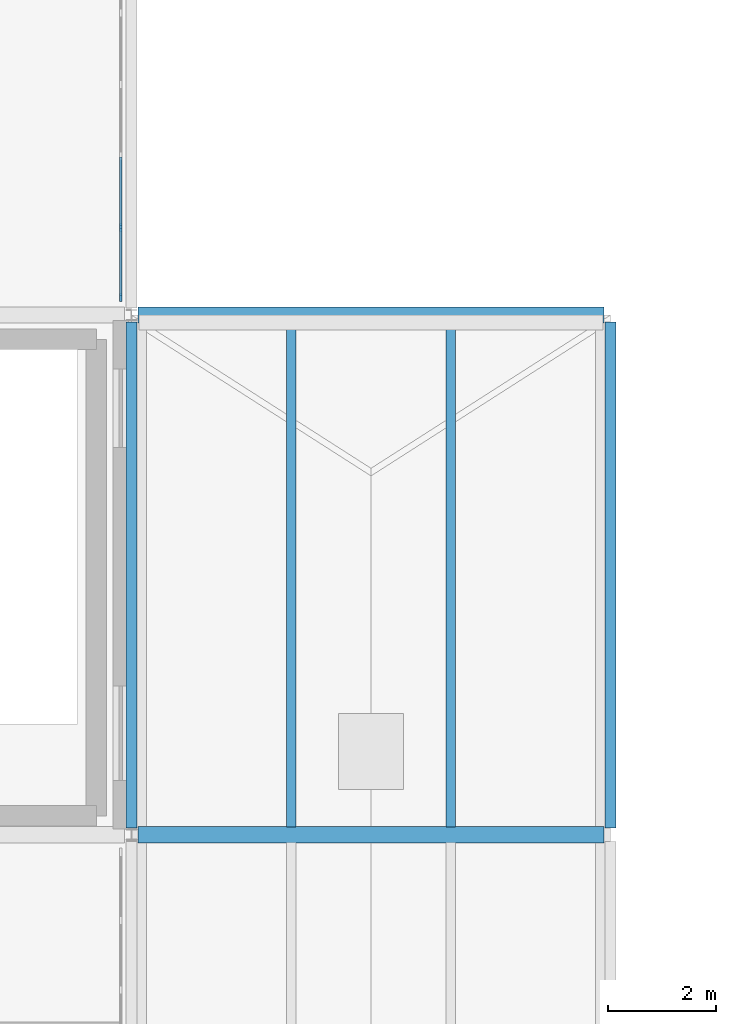
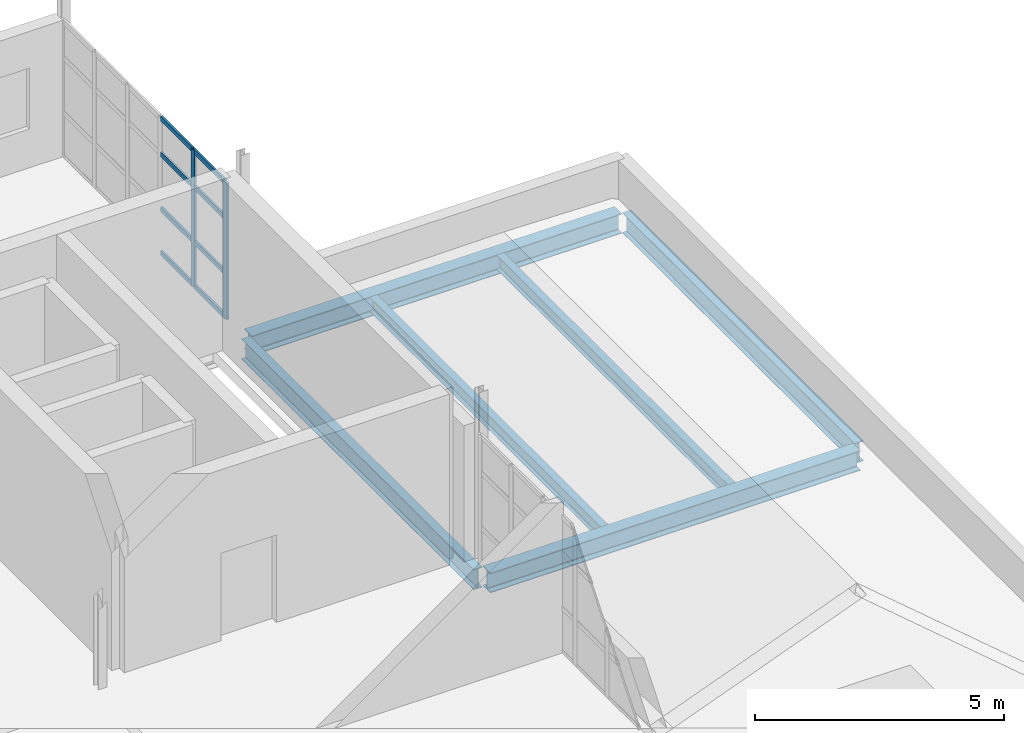
# One storey, part 7 of 16: 10 members, 6 beams, 1 element without a shape of its own.
"""IFC4 building model written with IfcOpenShell, lengths in metres."""

from ifc_helpers import new_model, si_unit, direction, frame, origin, origin_2d, place, context, subcontext, project, spatial, rectangle, i_section, extrude, material, layer, layer_set, material_profile, profile_set, type_object, element, aggregate, save


model = new_model("IFC4")

# Units and contexts
model_context = context("Model", 3, precision=1e-05, world=origin(), true_north=direction((0.0, 1.0)))
body_context = subcontext(model_context, "Body", "Model", "MODEL_VIEW")
ifc_project = project(units=[si_unit("LENGTHUNIT", "METRE"), si_unit("AREAUNIT", "SQUARE_METRE"), si_unit("VOLUMEUNIT", "CUBIC_METRE"), si_unit("PLANEANGLEUNIT", "RADIAN"), si_unit("MASSUNIT", "GRAM", prefix="KILO")], contexts=[model_context])

# Site, building, storey
site_placement = place(None, origin())
site = spatial("IfcSite", under=ifc_project, at=site_placement, CompositionType="ELEMENT")
building_placement = place(site_placement, origin())
building = spatial("IfcBuilding", under=site, at=building_placement, Name="Yeouljin Market Hall", CompositionType="ELEMENT")
storey_placement = place(building_placement, frame((0.0, 0.0, 19.199951171875)))
storey = spatial("IfcBuildingStorey", under=building, at=storey_placement, Name="L04", CompositionType="ELEMENT", Elevation=19.199951171875)

# Beams
ifc_material_1 = material(Name="Steel SM355", Category="steel")
ifc_material_profile_1 = material_profile(ifc_material_1, i_section(OverallWidth=0.199951171875, OverallDepth=0.5, WebThickness=0.010009765625, FlangeThickness=0.01611328125, FilletRadius=0.02001953125, at=origin_2d()), Name="H-500x200x10x16")
ifc_profile_set_1 = profile_set([ifc_material_profile_1], Name="Steel SM355")
beam_type_1 = type_object("IfcBeamType", Name="Beam_H-500x200x10x16", PredefinedType="BEAM", material=ifc_profile_set_1)
for number, where, z_axis, x_axis, name in (
    (1, (17.699951171875, 19.324951171875, -0.530029296875), (0.0, 1.0, 0.0), (-1.0, 0.0, 0.0), "Primary beam BM-L04-Y037"),
    (2, (26.550048828125, 19.324951171875, -0.530029296875), (0.0, 1.0, 0.0), (-1.0, 0.0, 0.0), "Primary beam BM-L04-Y041"),
):
    element("IfcBeam", number, at=place(storey_placement, frame(where, z_axis=z_axis, x_axis=x_axis)), inside=storey, type_object=beam_type_1, Name=name, PredefinedType="BEAM", context=body_context, shape_type="SweptSolid", body=[
        extrude(i_section(OverallWidth=0.199951171875, OverallDepth=0.5, WebThickness=0.010009765625, FlangeThickness=0.01611328125, FilletRadius=0.02001953125, at=origin_2d()), origin(), (0.0, 0.0, 1.0), 9.35009765625),
    ])

# Curtain wall, members
ifc_material_2 = material(Name="Thermally Broken Aluminium", Category="aluminium")
ifc_layer = layer(ifc_material_2, 0.14990234375)
ifc_layer_set = layer_set([ifc_layer], Name="Thermally Broken Aluminium")
curtain_wall_type = type_object("IfcCurtainWallType", Name="CW_AcademyRibbon_System", PredefinedType="USERDEFINED", material=ifc_layer_set)
curtain_wall_placement = place(storey_placement, origin())
curtain_wall = element("IfcCurtainWall", 3, at=curtain_wall_placement, inside=storey, type_object=curtain_wall_type, Name="Curtain wall CW-L04-W09", ObjectType="CURTAIN WALL", PredefinedType="USERDEFINED")
ifc_material_3 = material(Name="Thermally Broken Aluminium", Category="aluminium")
ifc_material_profile_2 = material_profile(ifc_material_3, rectangle(XDim=0.048095703125, YDim=0.14990234375, at=origin_2d()), Name="CW-MULL-48x150")
ifc_profile_set_2 = profile_set([ifc_material_profile_2], Name="Thermally Broken Aluminium")
member_type_1 = type_object("IfcMemberType", Name="CWMullion_48x150", PredefinedType="MULLION", material=ifc_profile_set_2)
member_1_placement = place(storey_placement, frame((17.5, 30.419921875, 0.0), z_axis=(0.0, 0.0, 1.0), x_axis=(1.0, 0.0, 0.0)))
member_1 = element("IfcMember", 4, at=member_1_placement, type_object=member_type_1, Name="CW-05 mullion 5", PredefinedType="MULLION", context=body_context, shape_type="SweptSolid", body=[
    extrude(rectangle(XDim=0.048095703125, YDim=0.14990234375, at=origin_2d()), origin(), (0.0, 0.0, 1.0), 3.35009765625),
])
member_2_placement = place(storey_placement, frame((17.5, 29.1240234375, 0.0), z_axis=(0.0, 0.0, 1.0), x_axis=(1.0, 0.0, 0.0)))
member_2 = element("IfcMember", 5, at=member_2_placement, type_object=member_type_1, Name="CW-05 mullion 6", PredefinedType="MULLION", context=body_context, shape_type="SweptSolid", body=[
    extrude(rectangle(XDim=0.048095703125, YDim=0.14990234375, at=origin_2d()), origin(), (0.0, 0.0, 1.0), 3.35009765625),
])
ifc_material_4 = material(Name="Thermally Broken Aluminium", Category="aluminium")
ifc_material_profile_3 = material_profile(ifc_material_4, rectangle(XDim=0.048095703125, YDim=0.1201171875, at=origin_2d()), Name="CW-TRAN-48x120")
ifc_profile_set_3 = profile_set([ifc_material_profile_3], Name="Thermally Broken Aluminium")
member_type_2 = type_object("IfcMemberType", Name="CWTransom_48x120", PredefinedType="USERDEFINED", material=ifc_profile_set_3)
member_3_placement = place(storey_placement, frame((17.5, 31.716064453125, 0.024169921875), z_axis=(0.0, -1.0, 0.0), x_axis=(1.0, 0.0, 0.0)))
member_3 = element("IfcMember", 6, at=member_3_placement, type_object=member_type_2, Name="CW-05 transom 4.1", ObjectType="TRANSOM", PredefinedType="USERDEFINED", context=body_context, shape_type="SweptSolid", body=[
    extrude(rectangle(XDim=0.048095703125, YDim=0.1201171875, at=origin_2d()), origin(), (0.0, 0.0, 1.0), 1.27197265625),
])
member_4_placement = place(storey_placement, frame((17.5, 31.716064453125, 1.10009765625), z_axis=(0.0, -1.0, 0.0), x_axis=(1.0, 0.0, 0.0)))
member_4 = element("IfcMember", 7, at=member_4_placement, type_object=member_type_2, Name="CW-05 transom 4.2", ObjectType="TRANSOM", PredefinedType="USERDEFINED", context=body_context, shape_type="SweptSolid", body=[
    extrude(rectangle(XDim=0.048095703125, YDim=0.1201171875, at=origin_2d()), origin(), (0.0, 0.0, 1.0), 1.27197265625),
])
member_5_placement = place(storey_placement, frame((17.5, 31.716064453125, 2.449951171875), z_axis=(0.0, -1.0, 0.0), x_axis=(1.0, 0.0, 0.0)))
member_5 = element("IfcMember", 8, at=member_5_placement, type_object=member_type_2, Name="CW-05 transom 4.3", ObjectType="TRANSOM", PredefinedType="USERDEFINED", context=body_context, shape_type="SweptSolid", body=[
    extrude(rectangle(XDim=0.048095703125, YDim=0.1201171875, at=origin_2d()), origin(), (0.0, 0.0, 1.0), 1.27197265625),
])
member_6_placement = place(storey_placement, frame((17.5, 31.716064453125, 3.325927734375), z_axis=(0.0, -1.0, 0.0), x_axis=(1.0, 0.0, 0.0)))
member_6 = element("IfcMember", 9, at=member_6_placement, type_object=member_type_2, Name="CW-05 transom 4.4", ObjectType="TRANSOM", PredefinedType="USERDEFINED", context=body_context, shape_type="SweptSolid", body=[
    extrude(rectangle(XDim=0.048095703125, YDim=0.1201171875, at=origin_2d()), origin(), (0.0, 0.0, 1.0), 1.27197265625),
])
member_7_placement = place(storey_placement, frame((17.5, 30.39599609375, 0.024169921875), z_axis=(0.0, -1.0, 0.0), x_axis=(1.0, 0.0, 0.0)))
member_7 = element("IfcMember", 10, at=member_7_placement, type_object=member_type_2, Name="CW-05 transom 5.1", ObjectType="TRANSOM", PredefinedType="USERDEFINED", context=body_context, shape_type="SweptSolid", body=[
    extrude(rectangle(XDim=0.048095703125, YDim=0.1201171875, at=origin_2d()), origin(), (0.0, 0.0, 1.0), 1.248046875),
])
member_8_placement = place(storey_placement, frame((17.5, 30.39599609375, 1.10009765625), z_axis=(0.0, -1.0, 0.0), x_axis=(1.0, 0.0, 0.0)))
member_8 = element("IfcMember", 11, at=member_8_placement, type_object=member_type_2, Name="CW-05 transom 5.2", ObjectType="TRANSOM", PredefinedType="USERDEFINED", context=body_context, shape_type="SweptSolid", body=[
    extrude(rectangle(XDim=0.048095703125, YDim=0.1201171875, at=origin_2d()), origin(), (0.0, 0.0, 1.0), 1.248046875),
])
member_9_placement = place(storey_placement, frame((17.5, 30.39599609375, 2.449951171875), z_axis=(0.0, -1.0, 0.0), x_axis=(1.0, 0.0, 0.0)))
member_9 = element("IfcMember", 12, at=member_9_placement, type_object=member_type_2, Name="CW-05 transom 5.3", ObjectType="TRANSOM", PredefinedType="USERDEFINED", context=body_context, shape_type="SweptSolid", body=[
    extrude(rectangle(XDim=0.048095703125, YDim=0.1201171875, at=origin_2d()), origin(), (0.0, 0.0, 1.0), 1.248046875),
])
member_10_placement = place(storey_placement, frame((17.5, 30.39599609375, 3.325927734375), z_axis=(0.0, -1.0, 0.0), x_axis=(1.0, 0.0, 0.0)))
member_10 = element("IfcMember", 13, at=member_10_placement, type_object=member_type_2, Name="CW-05 transom 5.4", ObjectType="TRANSOM", PredefinedType="USERDEFINED", context=body_context, shape_type="SweptSolid", body=[
    extrude(rectangle(XDim=0.048095703125, YDim=0.1201171875, at=origin_2d()), origin(), (0.0, 0.0, 1.0), 1.248046875),
])
aggregate(curtain_wall, [member_1, member_2, member_3, member_4, member_5, member_6, member_7, member_8, member_9, member_10])

# Beams
ifc_material_5 = material(Name="Steel SM355", Category="steel")
ifc_material_profile_4 = material_profile(ifc_material_5, i_section(OverallWidth=0.300048828125, OverallDepth=0.488037109375, WebThickness=0.010986328125, FlangeThickness=0.01806640625, FilletRadius=0.02197265625, at=origin_2d()), Name="H-488x300x11x18")
ifc_profile_set_4 = profile_set([ifc_material_profile_4], Name="Steel SM355")
beam_type_2 = type_object("IfcBeamType", Name="Girder_H-488x300x11x18", PredefinedType="USERDEFINED", material=ifc_profile_set_4)
for number, where, z_axis, x_axis, name in (
    (14, (17.824951171875, 19.199951171875, -0.52392578125), (1.0, 0.0, 0.0), (0.0, 1.0, 0.0), "Primary girder GRD-L04-X015"),
    (15, (17.824951171875, 28.800048828125, -0.52392578125), (1.0, 0.0, 0.0), (0.0, 1.0, 0.0), "Primary girder GRD-L04-X021"),
):
    element("IfcBeam", number, at=place(storey_placement, frame(where, z_axis=z_axis, x_axis=x_axis)), inside=storey, type_object=beam_type_2, Name=name, ObjectType="GIRDER", PredefinedType="USERDEFINED", context=body_context, shape_type="SweptSolid", body=[
        extrude(i_section(OverallWidth=0.300048828125, OverallDepth=0.488037109375, WebThickness=0.010986328125, FlangeThickness=0.01806640625, FilletRadius=0.02197265625, at=origin_2d()), origin(), (0.0, 0.0, 1.0), 8.60009765625),
    ])
ifc_material_6 = material(Name="Steel SM355", Category="steel")
ifc_material_profile_5 = material_profile(ifc_material_6, i_section(OverallWidth=0.175048828125, OverallDepth=0.35009765625, WebThickness=0.007080078125, FlangeThickness=0.010986328125, FilletRadius=0.013916015625, at=origin_2d()), Name="H-350x175x7x11")
ifc_profile_set_5 = profile_set([ifc_material_profile_5], Name="Steel SM355")
beam_type_3 = type_object("IfcBeamType", Name="Joist_H-350x175x7x11", PredefinedType="JOIST", material=ifc_profile_set_5)
for number, where, z_axis, x_axis, name in (
    (16, (20.64990234375, 19.346923828125, -0.454833984375), (0.0, 1.0, 0.0), (-1.0, 0.0, 0.0), "Secondary floor joist L04-018"),
    (17, (23.60009765625, 19.346923828125, -0.454833984375), (0.0, 1.0, 0.0), (-1.0, 0.0, 0.0), "Secondary floor joist L04-019"),
):
    element("IfcBeam", number, at=place(storey_placement, frame(where, z_axis=z_axis, x_axis=x_axis)), inside=storey, type_object=beam_type_3, Name=name, PredefinedType="JOIST", context=body_context, shape_type="SweptSolid", body=[
        extrude(i_section(OverallWidth=0.175048828125, OverallDepth=0.35009765625, WebThickness=0.007080078125, FlangeThickness=0.010986328125, FilletRadius=0.013916015625, at=origin_2d()), origin(), (0.0, 0.0, 1.0), 9.30615234375),
    ])

save(model, "model.ifc")
